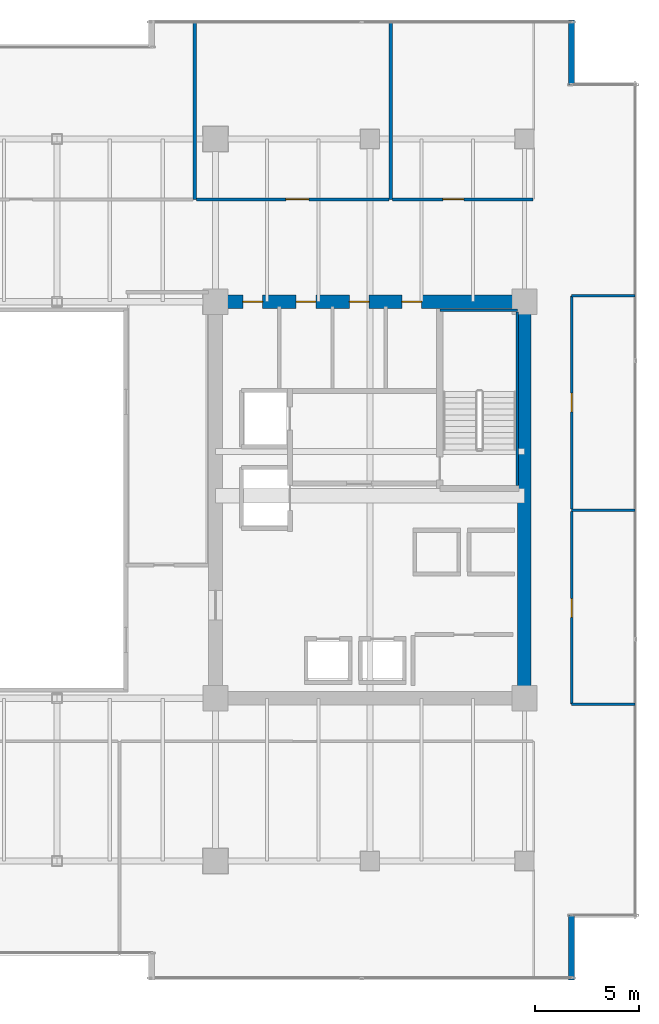
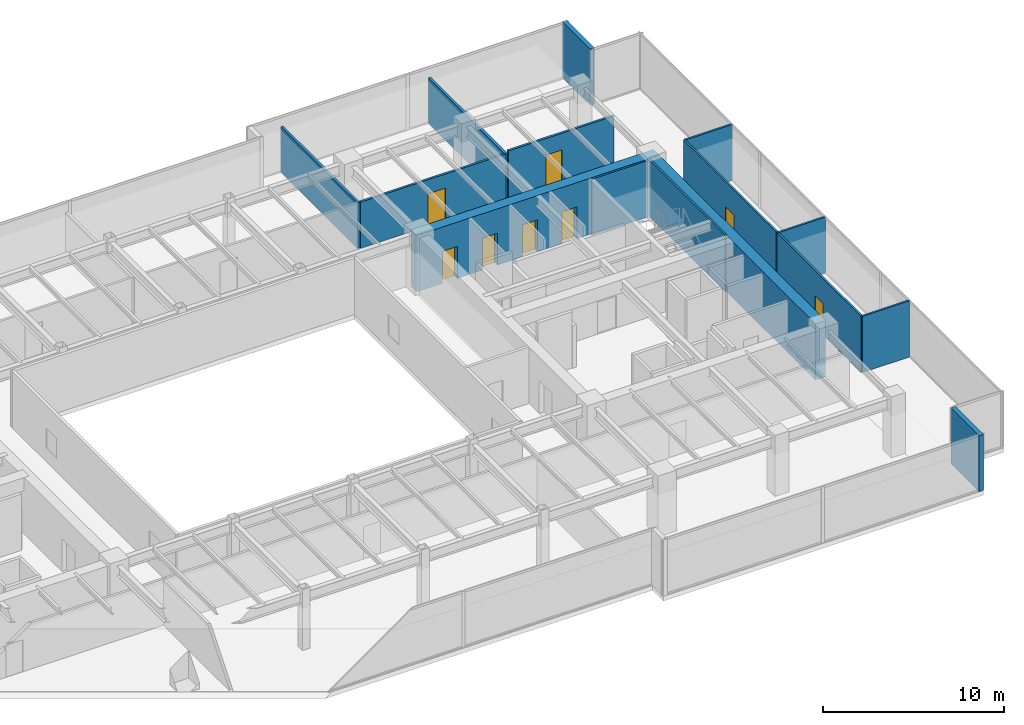
# One storey, part 28 of 33: 15 walls, 8 doors, 8 openings.
"""IFC4 building model written with IfcOpenShell, lengths in metres."""

from ifc_helpers import new_model, si_unit, direction, frame, frame_2d, origin, place, context, subcontext, project, spatial, rectangle, extrude, source, transform, mapped, material, layer, layer_set, type_object, type_shapes, element, fill, save


model = new_model("IFC4")

# Units and contexts
model_context = context("Model", 3, precision=1e-05, world=origin(), true_north=direction((0.0, 1.0)))
body_context = subcontext(model_context, "Body", "Model", "MODEL_VIEW")
ifc_project = project(units=[si_unit("LENGTHUNIT", "METRE"), si_unit("AREAUNIT", "SQUARE_METRE"), si_unit("VOLUMEUNIT", "CUBIC_METRE"), si_unit("PLANEANGLEUNIT", "RADIAN"), si_unit("MASSUNIT", "GRAM", prefix="KILO")], contexts=[model_context])

# Site, building, storey
site_placement = place(None, origin())
site = spatial("IfcSite", under=ifc_project, at=site_placement, CompositionType="ELEMENT")
building_placement = place(site_placement, origin())
building = spatial("IfcBuilding", under=site, at=building_placement, Name="Haelvirn Gate Laboratories", CompositionType="ELEMENT")
storey_placement = place(building_placement, frame((0.0, 0.0, 137.89990234375)))
storey = spatial("IfcBuildingStorey", under=building, at=storey_placement, Name="L33", CompositionType="ELEMENT", Elevation=137.89990234375)

# Walls
ifc_material_1 = material(Name="Thermally-broken bronze aluminium rainscreen & mineral wool", Category="aluminium")
ifc_layer_1 = layer(ifc_material_1, 0.280029296875, Name="EW-TERR-280")
ifc_layer_set_1 = layer_set([ifc_layer_1], Name="Thermally-broken bronze aluminium rainscreen & mineral wool")
wall_type_1 = type_object("IfcWallType", Name="EW-TERR-280", PredefinedType="STANDARD", material=ifc_layer_set_1)
wall_1_placement = place(storey_placement, frame((69.659912109375, 1.300048828125, 0.0), z_axis=(0.0, 0.0, 1.0), x_axis=(0.0, 1.0, 0.0)))
element("IfcWall", 1, at=wall_1_placement, inside=storey, type_object=wall_type_1, Name="L33 Atrium Recess Bronze Return Wall 05", PredefinedType="STANDARD", context=body_context, shape_type="SweptSolid", body=[
    extrude(rectangle(XDim=3.087890625, YDim=0.280029296875, at=frame_2d((1.5439453125, 0.0))), origin(), (0.0, 0.0, 1.0), 3.7900390625),
])
wall_2_placement = place(storey_placement, frame((69.659912109375, 44.2119140625, 0.0), z_axis=(0.0, 0.0, 1.0), x_axis=(0.0, 1.0, 0.0)))
element("IfcWall", 2, at=wall_2_placement, inside=storey, type_object=wall_type_1, Name="L33 Atrium Recess Bronze Return Wall 09", PredefinedType="STANDARD", context=body_context, shape_type="SweptSolid", body=[
    extrude(rectangle(XDim=3.088134765625, YDim=0.280029296875, at=frame_2d((1.5439453125, 0.0))), origin(), (0.0, 0.0, 1.0), 3.7900390625),
])
ifc_material_2 = material(Name="Double-layer acoustic gypsum laboratory partition", Category="gypsum")
ifc_layer_2 = layer(ifc_material_2, 0.159912109375, Name="IW-ACOUST-160")
ifc_layer_set_2 = layer_set([ifc_layer_2], Name="Double-layer acoustic gypsum laboratory partition")
wall_type_2 = type_object("IfcWallType", Name="IW-ACOUST-160", PredefinedType="PARTITIONING", material=ifc_layer_set_2)
for number, where, z_axis, x_axis, name in (
    (3, (51.60009765625, 38.705078125, 0.0), (0.0, 0.0, 1.0), (0.0, 1.0, 0.0), "L33 Interior Wall IW-L33-NDIV-04"),
    (4, (61.0, 38.705078125, 0.0), (0.0, 0.0, 1.0), (0.0, 1.0, 0.0), "L33 Interior Wall IW-L33-NDIV-05"),
):
    element("IfcWall", number, at=place(storey_placement, frame(where, z_axis=z_axis, x_axis=x_axis)), inside=storey, type_object=wall_type_2, Name=name, PredefinedType="PARTITIONING", context=body_context, shape_type="SweptSolid", body=[
        extrude(rectangle(XDim=8.48486328125, YDim=0.159912109375, at=frame_2d((4.242431640625, 0.0))), origin(), (0.0, 0.0, 1.0), 3.0751953125),
    ])
ifc_material_3 = material(Name="Lightweight acoustic gypsum board partition", Category="gypsum")
ifc_layer_3 = layer(ifc_material_3, 0.1201171875, Name="IW-PART-120")
ifc_layer_set_3 = layer_set([ifc_layer_3], Name="Lightweight acoustic gypsum board partition")
wall_type_3 = type_object("IfcWallType", Name="IW-PART-120", PredefinedType="PARTITIONING", material=ifc_layer_set_3)
for number, where, z_axis, x_axis, name in (
    (5, (69.669921875, 14.514892578125, 0.0), (0.0, 0.0, 1.0), (1.0, 0.0, 0.0), "L33 Interior Wall IW-L33-ECAP-S"),
    (6, (69.669921875, 34.0849609375, 0.0), (0.0, 0.0, 1.0), (1.0, 0.0, 0.0), "L33 Interior Wall IW-L33-ECAP-N"),
):
    element("IfcWall", number, at=place(storey_placement, frame(where, z_axis=z_axis, x_axis=x_axis)), inside=storey, type_object=wall_type_3, Name=name, PredefinedType="PARTITIONING", context=body_context, shape_type="SweptSolid", body=[
        extrude(rectangle(XDim=3.02001953125, YDim=0.1201171875, at=frame_2d((1.510009765625, 0.0))), origin(), (0.0, 0.0, 1.0), 3.7900390625),
    ])

# Wall, opening, door
wall_3_placement = place(storey_placement, frame((69.669921875, 14.514892578125, 0.0), z_axis=(0.0, 0.0, 1.0), x_axis=(0.0, 1.0, 0.0)))
wall_3 = element("IfcWall", 7, at=wall_3_placement, inside=storey, type_object=wall_type_3, Name="L33 Interior Wall IW-L33-EPASS-01", PredefinedType="PARTITIONING", context=body_context, shape_type="SweptSolid", body=[
    extrude(rectangle(XDim=9.22509765625, YDim=0.1201171875, at=frame_2d((4.612548828125, 0.0))), origin(), (0.0, 0.0, 1.0), 3.7900390625),
])
opening_1_placement = place(wall_3_placement, frame((4.16259765625, 0.0, 0.0)))
opening_1 = element("IfcOpeningElement", 8, at=opening_1_placement, cuts=wall_3, Name="Opening D4", PredefinedType="OPENING", context=body_context, shape_type="SweptSolid", body=[
    extrude(rectangle(XDim=0.89990234375, YDim=2.10009765625, at=frame_2d((0.449951171875, 1.050048828125))), frame((0.0, 0.070068359375, 0.0), z_axis=(0.0, -1.0, 0.0), x_axis=(1.0, 0.0, 0.0)), (0.0, 0.0, 1.0), 0.14013671875),
])
ifc_material_4 = material(Name="Glazed aluminium-framed write-up door", Category="aluminium")
door_type_1 = type_object("IfcDoorType", Name="DR-OFF-900", OperationType="NOTDEFINED", PredefinedType="DOOR", material=ifc_material_4)
shared_shape_1 = source(origin(), body_context, "Body", "SweptSolid", [
    extrude(rectangle(XDim=0.89990234375, YDim=2.10009765625, at=frame_2d((0.449951171875, 1.050048828125))), frame((0.0, 0.02490234375, 0.0), z_axis=(0.0, -1.0, 0.0), x_axis=(1.0, 0.0, 0.0)), (0.0, 0.0, 1.0), 0.050048828125),
])
type_shapes(door_type_1, [shared_shape_1])
door_1_placement = place(opening_1_placement, origin())
door_1 = element("IfcDoor", 9, at=door_1_placement, inside=storey, type_object=door_type_1, Name="L33 Bioprocess Foundry Laboratory Door E1", OperationType="SINGLE_SWING_LEFT", OverallHeight=2.10009765625, OverallWidth=0.89990234375, PredefinedType="DOOR", context=body_context, shape_type="MappedRepresentation", body=[
    mapped(shared_shape_1, transform((0.0, 0.0, 0.0), scale=1.0)),
])
fill(opening_1, door_1)

# Wall
wall_4_placement = place(storey_placement, frame((69.669921875, 23.800048828125, 0.0), z_axis=(0.0, 0.0, 1.0), x_axis=(1.0, 0.0, 0.0)))
element("IfcWall", 10, at=wall_4_placement, inside=storey, type_object=wall_type_3, Name="L33 Interior Wall IW-L33-EDIV-01", PredefinedType="PARTITIONING", context=body_context, shape_type="SweptSolid", body=[
    extrude(rectangle(XDim=3.02001953125, YDim=0.1201171875, at=frame_2d((1.510009765625, 0.0))), origin(), (0.0, 0.0, 1.0), 3.7900390625),
])

# Wall, opening, door
wall_5_placement = place(storey_placement, frame((69.669921875, 23.860107421875, 0.0), z_axis=(0.0, 0.0, 1.0), x_axis=(0.0, 1.0, 0.0)))
wall_5 = element("IfcWall", 11, at=wall_5_placement, inside=storey, type_object=wall_type_3, Name="L33 Interior Wall IW-L33-EPASS-02", PredefinedType="PARTITIONING", context=body_context, shape_type="SweptSolid", body=[
    extrude(rectangle(XDim=10.224853515625, YDim=0.1201171875, at=frame_2d((5.1123046875, 0.0))), origin(), (0.0, 0.0, 1.0), 3.7900390625),
])
opening_2_placement = place(wall_5_placement, frame((4.66259765625, 0.0, 0.0)))
opening_2 = element("IfcOpeningElement", 12, at=opening_2_placement, cuts=wall_5, Name="Opening D4", PredefinedType="OPENING", context=body_context, shape_type="SweptSolid", body=[
    extrude(rectangle(XDim=0.89990234375, YDim=2.10009765625, at=frame_2d((0.449951171875, 1.050048828125))), frame((0.0, 0.070068359375, 0.0), z_axis=(0.0, -1.0, 0.0), x_axis=(1.0, 0.0, 0.0)), (0.0, 0.0, 1.0), 0.14013671875),
])
door_2_placement = place(opening_2_placement, origin())
door_2 = element("IfcDoor", 13, at=door_2_placement, inside=storey, type_object=door_type_1, Name="L33 Genomics Assay Laboratory Door E2", OperationType="SINGLE_SWING_RIGHT", OverallHeight=2.10009765625, OverallWidth=0.89990234375, PredefinedType="DOOR", context=body_context, shape_type="MappedRepresentation", body=[
    mapped(shared_shape_1, transform((0.0, 0.0, 0.0), scale=1.0)),
])
fill(opening_2, door_2)

ifc_material_5 = material(Name="Acoustic mineral-wool gypsum board partition", Category="gypsum")
ifc_layer_4 = layer(ifc_material_5, 0.139892578125, Name="IW-PART-140")
ifc_layer_set_4 = layer_set([ifc_layer_4], Name="Acoustic mineral-wool gypsum board partition")
wall_type_4 = type_object("IfcWallType", Name="IW-PART-140", PredefinedType="PARTITIONING", material=ifc_layer_set_4)
wall_6_placement = place(storey_placement, frame((51.679931640625, 38.705078125, 0.0), z_axis=(0.0, 0.0, 1.0), x_axis=(1.0, 0.0, 0.0)))
wall_6 = element("IfcWall", 14, at=wall_6_placement, inside=storey, type_object=wall_type_4, Name="L33 Interior Wall IW-L33-NCORR-05", PredefinedType="PARTITIONING", context=body_context, shape_type="SweptSolid", body=[
    extrude(rectangle(XDim=9.239990234375, YDim=0.139892578125, at=frame_2d((4.6201171875, 0.0))), origin(), (0.0, 0.0, 1.0), 3.125),
])
opening_3_placement = place(wall_6_placement, frame((4.293212890625, 0.0, 0.0)))
opening_3 = element("IfcOpeningElement", 15, at=opening_3_placement, cuts=wall_6, Name="Opening D1", PredefinedType="OPENING", context=body_context, shape_type="SweptSolid", body=[
    extrude(rectangle(XDim=1.10009765625, YDim=2.179931640625, at=frame_2d((0.550048828125, 1.08984375))), frame((0.0, 0.080078125, 0.0), z_axis=(0.0, -1.0, 0.0), x_axis=(1.0, 0.0, 0.0)), (0.0, 0.0, 1.0), 0.159912109375),
])
ifc_material_6 = material(Name="Vision-panel acoustic solid-core timber lab door", Category="wood")
door_type_2 = type_object("IfcDoorType", Name="DR-LAB-1100", OperationType="NOTDEFINED", PredefinedType="DOOR", material=ifc_material_6)
shared_shape_2 = source(origin(), body_context, "Body", "SweptSolid", [
    extrude(rectangle(XDim=1.10009765625, YDim=2.179931640625, at=frame_2d((0.550048828125, 1.08984375))), frame((0.0, 0.02490234375, 0.0), z_axis=(0.0, -1.0, 0.0), x_axis=(1.0, 0.0, 0.0)), (0.0, 0.0, 1.0), 0.050048828125),
])
type_shapes(door_type_2, [shared_shape_2])
door_3_placement = place(opening_3_placement, origin())
door_3 = element("IfcDoor", 16, at=door_3_placement, inside=storey, type_object=door_type_2, Name="L33 Floor Hydration & Tea Servery Door N5", OperationType="SINGLE_SWING_LEFT", OverallHeight=2.179931640625, OverallWidth=1.10009765625, PredefinedType="DOOR", context=body_context, shape_type="MappedRepresentation", body=[
    mapped(shared_shape_2, transform((0.0, 0.0, 0.0), scale=1.0)),
])
fill(opening_3, door_3)

wall_7_placement = place(storey_placement, frame((61.080078125, 38.705078125, 0.0), z_axis=(0.0, 0.0, 1.0), x_axis=(1.0, 0.0, 0.0)))
wall_7 = element("IfcWall", 17, at=wall_7_placement, inside=storey, type_object=wall_type_4, Name="L33 Interior Wall IW-L33-NCORR-06", PredefinedType="PARTITIONING", context=body_context, shape_type="SweptSolid", body=[
    extrude(rectangle(XDim=6.739990234375, YDim=0.139892578125, at=frame_2d((3.3701171875, 0.0))), origin(), (0.0, 0.0, 1.0), 3.275146484375),
])
opening_4_placement = place(wall_7_placement, frame((2.41650390625, 0.0, 0.0)))
opening_4 = element("IfcOpeningElement", 18, at=opening_4_placement, cuts=wall_7, Name="Opening D2", PredefinedType="OPENING", context=body_context, shape_type="SweptSolid", body=[
    extrude(rectangle(XDim=1.0, YDim=2.14990234375, at=frame_2d((0.5, 1.074951171875))), frame((0.0, 0.080078125, 0.0), z_axis=(0.0, -1.0, 0.0), x_axis=(1.0, 0.0, 0.0)), (0.0, 0.0, 1.0), 0.159912109375),
])
ifc_material_7 = material(Name="Acoustic solid-core timber suite door", Category="wood")
door_type_3 = type_object("IfcDoorType", Name="DR-INT-1000", OperationType="NOTDEFINED", PredefinedType="DOOR", material=ifc_material_7)
shared_shape_3 = source(origin(), body_context, "Body", "SweptSolid", [
    extrude(rectangle(XDim=1.0, YDim=2.14990234375, at=frame_2d((0.5, 1.074951171875))), frame((0.0, 0.02490234375, 0.0), z_axis=(0.0, -1.0, 0.0), x_axis=(1.0, 0.0, 0.0)), (0.0, 0.0, 1.0), 0.050048828125),
])
type_shapes(door_type_3, [shared_shape_3])
door_4_placement = place(opening_4_placement, origin())
door_4 = element("IfcDoor", 19, at=door_4_placement, inside=storey, type_object=door_type_3, Name="L33 Genomics Assay Laboratory Door N6", OperationType="SINGLE_SWING_RIGHT", OverallHeight=2.14990234375, OverallWidth=1.0, PredefinedType="DOOR", context=body_context, shape_type="MappedRepresentation", body=[
    mapped(shared_shape_3, transform((0.0, 0.0, 0.0), scale=1.0)),
])
fill(opening_4, door_4)

# Wall, openings, doors
ifc_material_8 = material(Name="Concrete C60/75", Category="concrete")
ifc_layer_5 = layer(ifc_material_8, 0.64990234375, Name="SW-CORE-650")
ifc_layer_set_5 = layer_set([ifc_layer_5], Name="Concrete C60/75")
wall_type_5 = type_object("IfcWallType", Name="SW-CORE-650", PredefinedType="SHEAR", material=ifc_layer_set_5)
wall_8_placement = place(storey_placement, frame((52.27490234375, 33.800048828125, 0.0), z_axis=(0.0, 0.0, 1.0), x_axis=(1.0, 0.0, 0.0)))
wall_8 = element("IfcWall", 20, at=wall_8_placement, inside=storey, type_object=wall_type_5, Name="L33 E Core Shear Wall N", PredefinedType="SHEAR", context=body_context, shape_type="SweptSolid", body=[
    extrude(rectangle(XDim=15.4501953125, YDim=0.64990234375, at=frame_2d((7.72509765625, 0.0))), origin(), (0.0, 0.0, 1.0), 3.7900390625),
])
opening_5_placement = place(wall_8_placement, frame((9.25, 0.0, 0.0)))
opening_5 = element("IfcOpeningElement", 21, at=opening_5_placement, cuts=wall_8, Name="Opening FD4", PredefinedType="OPENING", context=body_context, shape_type="SweptSolid", body=[
    extrude(rectangle(XDim=0.949951171875, YDim=2.14990234375, at=frame_2d((0.47509765625, 1.074951171875))), frame((0.0, 0.3349609375, 0.0), z_axis=(0.0, -1.0, 0.0), x_axis=(1.0, 0.0, 0.0)), (0.0, 0.0, 1.0), 0.669921875),
])
opening_6_placement = place(wall_8_placement, frame((6.735107421875, 0.0, 0.0)))
opening_6 = element("IfcOpeningElement", 22, at=opening_6_placement, cuts=wall_8, Name="Opening FD4", PredefinedType="OPENING", context=body_context, shape_type="SweptSolid", body=[
    extrude(rectangle(XDim=0.949951171875, YDim=2.14990234375, at=frame_2d((0.47509765625, 1.074951171875))), frame((0.0, 0.3349609375, 0.0), z_axis=(0.0, -1.0, 0.0), x_axis=(1.0, 0.0, 0.0)), (0.0, 0.0, 1.0), 0.669921875),
])
opening_7_placement = place(wall_8_placement, frame((4.18505859375, 0.0, 0.0)))
opening_7 = element("IfcOpeningElement", 23, at=opening_7_placement, cuts=wall_8, Name="Opening FD4", PredefinedType="OPENING", context=body_context, shape_type="SweptSolid", body=[
    extrude(rectangle(XDim=0.949951171875, YDim=2.14990234375, at=frame_2d((0.47509765625, 1.074951171875))), frame((0.0, 0.3349609375, 0.0), z_axis=(0.0, -1.0, 0.0), x_axis=(1.0, 0.0, 0.0)), (0.0, 0.0, 1.0), 0.669921875),
])
opening_8_placement = place(wall_8_placement, frame((1.635009765625, 0.0, 0.0)))
opening_8 = element("IfcOpeningElement", 24, at=opening_8_placement, cuts=wall_8, Name="Opening FD4", PredefinedType="OPENING", context=body_context, shape_type="SweptSolid", body=[
    extrude(rectangle(XDim=0.949951171875, YDim=2.14990234375, at=frame_2d((0.47509765625, 1.074951171875))), frame((0.0, 0.3349609375, 0.0), z_axis=(0.0, -1.0, 0.0), x_axis=(1.0, 0.0, 0.0)), (0.0, 0.0, 1.0), 0.669921875),
])
ifc_material_9 = material(Name="Fire-rated steel SM355 core service door", Category="steel")
door_type_4 = type_object("IfcDoorType", Name="DR-FD-950", OperationType="NOTDEFINED", PredefinedType="DOOR", material=ifc_material_9)
shared_shape_4 = source(origin(), body_context, "Body", "SweptSolid", [
    extrude(rectangle(XDim=0.949951171875, YDim=2.14990234375, at=frame_2d((0.47509765625, 1.074951171875))), frame((0.0, 0.02490234375, 0.0), z_axis=(0.0, -1.0, 0.0), x_axis=(1.0, 0.0, 0.0)), (0.0, 0.0, 1.0), 0.050048828125),
])
type_shapes(door_type_4, [shared_shape_4])
door_5_placement = place(opening_5_placement, origin())
door_5 = element("IfcDoor", 25, at=door_5_placement, inside=storey, type_object=door_type_4, Name="L33 Male Restroom Fire Door", OperationType="SINGLE_SWING_RIGHT", OverallHeight=2.14990234375, OverallWidth=0.949951171875, PredefinedType="DOOR", context=body_context, shape_type="MappedRepresentation", body=[
    mapped(shared_shape_4, transform((0.0, 0.0, 0.0), scale=1.0)),
])
fill(opening_5, door_5)
door_6_placement = place(opening_6_placement, origin())
door_6 = element("IfcDoor", 26, at=door_6_placement, inside=storey, type_object=door_type_4, Name="L33 Female Restroom Fire Door", OperationType="SINGLE_SWING_LEFT", OverallHeight=2.14990234375, OverallWidth=0.949951171875, PredefinedType="DOOR", context=body_context, shape_type="MappedRepresentation", body=[
    mapped(shared_shape_4, transform((0.0, 0.0, 0.0), scale=1.0)),
])
fill(opening_6, door_6)
door_7_placement = place(opening_7_placement, origin())
door_7 = element("IfcDoor", 27, at=door_7_placement, inside=storey, type_object=door_type_4, Name="L33 Accessible Restroom Fire Door", OperationType="SINGLE_SWING_RIGHT", OverallHeight=2.14990234375, OverallWidth=0.949951171875, PredefinedType="DOOR", context=body_context, shape_type="MappedRepresentation", body=[
    mapped(shared_shape_4, transform((0.0, 0.0, 0.0), scale=1.0)),
])
fill(opening_7, door_7)
door_8_placement = place(opening_8_placement, origin())
door_8 = element("IfcDoor", 28, at=door_8_placement, inside=storey, type_object=door_type_4, Name="L33 Decontamination Shower Washroom Fire Door", OperationType="SINGLE_SWING_LEFT", OverallHeight=2.14990234375, OverallWidth=0.949951171875, PredefinedType="DOOR", context=body_context, shape_type="MappedRepresentation", body=[
    mapped(shared_shape_4, transform((0.0, 0.0, 0.0), scale=1.0)),
])
fill(opening_8, door_8)

# Walls
wall_9_placement = place(storey_placement, frame((67.39990234375, 15.125, 0.0), z_axis=(0.0, 0.0, 1.0), x_axis=(0.0, 1.0, 0.0)))
element("IfcWall", 29, at=wall_9_placement, inside=storey, type_object=wall_type_5, Name="L33 E Core Shear Wall E", PredefinedType="SHEAR", context=body_context, shape_type="SweptSolid", body=[
    extrude(rectangle(XDim=18.35009765625, YDim=0.64990234375, at=frame_2d((9.175048828125, 0.0))), origin(), (0.0, 0.0, 1.0), 3.7900390625),
])
ifc_material_10 = material(Name="Concrete C50/60", Category="concrete")
ifc_layer_6 = layer(ifc_material_10, 0.1201171875, Name="SW-LINER-120")
ifc_layer_set_6 = layer_set([ifc_layer_6], Name="Concrete C50/60")
wall_type_6 = type_object("IfcWallType", Name="SW-LINER-120", PredefinedType="SOLIDWALL", material=ifc_layer_set_6)
wall_10_placement = place(storey_placement, frame((63.35009765625, 33.39990234375, 0.0), z_axis=(0.0, 0.0, 1.0), x_axis=(1.0, 0.0, 0.0)))
element("IfcWall", 30, at=wall_10_placement, inside=storey, type_object=wall_type_6, Name="L33 E Core Stair Shaft Liner Wall N", PredefinedType="SOLIDWALL", context=body_context, shape_type="SweptSolid", body=[
    extrude(rectangle(XDim=3.719970703125, YDim=0.1201171875, at=frame_2d((1.85986328125, 0.0))), origin(), (0.0, 0.0, 1.0), 3.7900390625),
])
wall_11_placement = place(storey_placement, frame((67.070068359375, 25.0, 0.0), z_axis=(0.0, 0.0, 1.0), x_axis=(0.0, 1.0, 0.0)))
element("IfcWall", 31, at=wall_11_placement, inside=storey, type_object=wall_type_6, Name="L33 E Core Stair Shaft Liner Wall OUT", PredefinedType="SOLIDWALL", context=body_context, shape_type="SweptSolid", body=[
    extrude(rectangle(XDim=8.320068359375, YDim=0.1201171875, at=frame_2d((4.16015625, 0.0))), origin(), (0.0, 0.0, 1.0), 3.7900390625),
])

save(model, "model.ifc")
